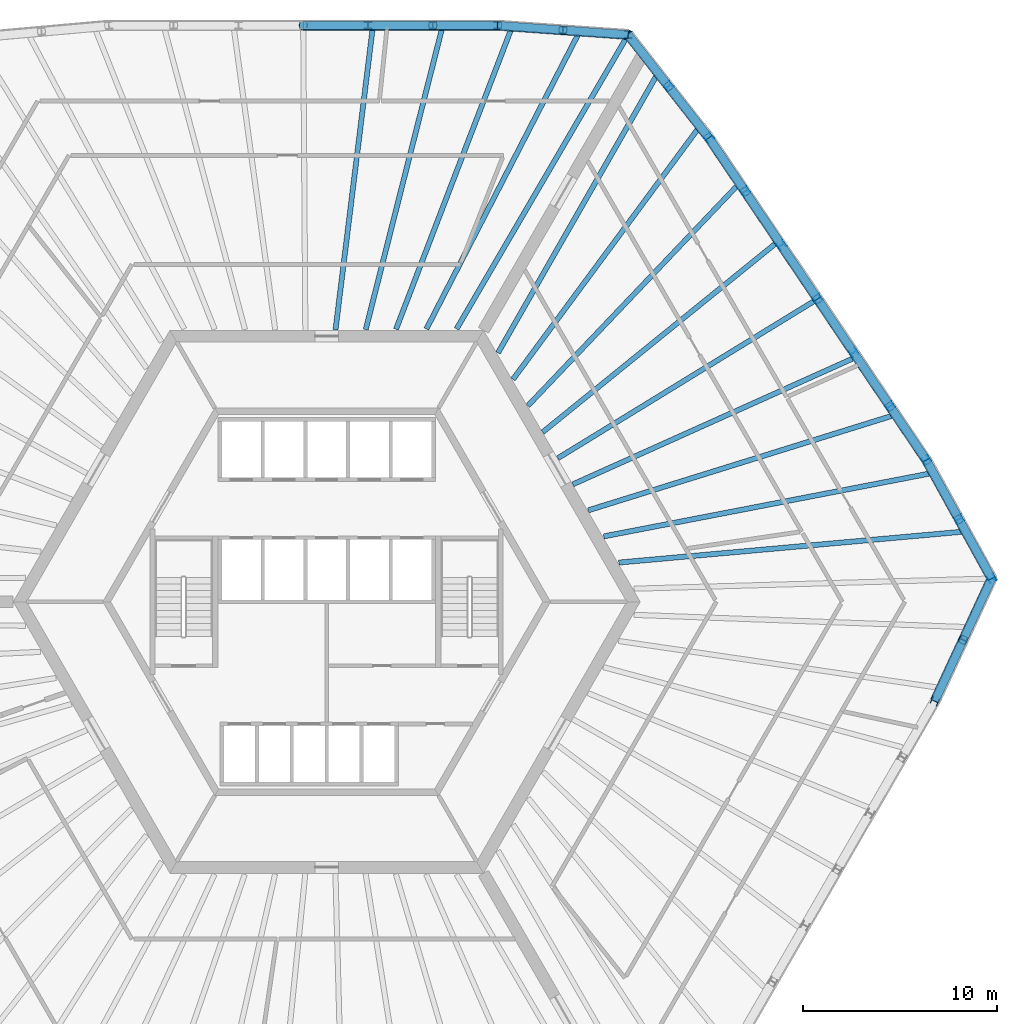
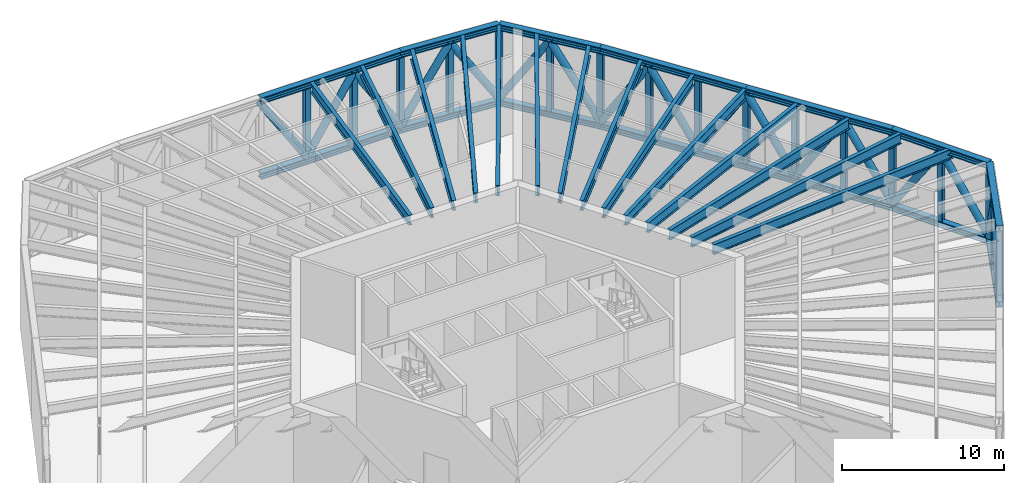
# One storey, part 4 of 11: 48 members, 14 beams.
"""IFC4 building model written with IfcOpenShell, lengths in metres."""

from ifc_helpers import new_model, si_unit, direction, frame, origin, origin_2d, place, context, subcontext, project, spatial, hollow_circle, i_section, extrude, material, material_profile, profile_set, type_object, element, save


model = new_model("IFC4")

# Units and contexts
model_context = context("Model", 3, precision=1e-05, world=origin(), true_north=direction((0.0, 1.0)))
body_context = subcontext(model_context, "Body", "Model", "MODEL_VIEW")
ifc_project = project(units=[si_unit("LENGTHUNIT", "METRE"), si_unit("AREAUNIT", "SQUARE_METRE"), si_unit("VOLUMEUNIT", "CUBIC_METRE"), si_unit("PLANEANGLEUNIT", "RADIAN"), si_unit("MASSUNIT", "GRAM", prefix="KILO")], contexts=[model_context])

# Site, building, storey
site_placement = place(None, origin())
site = spatial("IfcSite", under=ifc_project, at=site_placement, CompositionType="ELEMENT")
building_placement = place(site_placement, origin())
building = spatial("IfcBuilding", under=site, at=building_placement, Name="Tarnside Tower", CompositionType="ELEMENT")
storey_placement = place(building_placement, frame((0.0, 0.0, 31.5)))
storey = spatial("IfcBuildingStorey", under=building, at=storey_placement, Name="L05", CompositionType="ELEMENT", Elevation=31.5)

# Beams
ifc_material_1 = material(Name="Steel S355", Category="steel")
ifc_material_profile_1 = material_profile(ifc_material_1, i_section(OverallWidth=0.26513671875, OverallDepth=0.75390625, WebThickness=0.0126953125, FlangeThickness=0.017578125, FilletRadius=0.0166015625, at=origin_2d()), Name="UB 762x267x147")
ifc_profile_set_1 = profile_set([ifc_material_profile_1], Name="Steel S355")
beam_type_1 = type_object("IfcBeamType", Name="Floor beam UB 762x267x147", PredefinedType="BEAM", material=ifc_profile_set_1)
beam_1_placement = place(storey_placement, frame((2.3603515625, 29.4931640625, 5.472900390625), z_axis=(-0.122332716121, -0.992489146826, 0.0), x_axis=(0.992489146826, -0.122332716121, 0.0)))
element("IfcBeam", 1, at=beam_1_placement, inside=storey, type_object=beam_type_1, Name="Floor beam F1.04", PredefinedType="BEAM", context=body_context, shape_type="SweptSolid", body=[
    extrude(i_section(OverallWidth=0.26513671875, OverallDepth=0.75390625, WebThickness=0.0126953125, FlangeThickness=0.017578125, FilletRadius=0.0166015625, at=origin_2d()), origin(), (0.0, 0.0, 1.0), 15.590576171875),
])
beam_2_placement = place(storey_placement, frame((27.1005859375, 12.52880859375, 5.472900390625), z_axis=(-0.912146085048, -0.409865245577, 0.0), x_axis=(0.409865245577, -0.912146085048, 0.0)))
element("IfcBeam", 2, at=beam_2_placement, inside=storey, type_object=beam_type_1, Name="Floor beam F6.04", PredefinedType="BEAM", context=body_context, shape_type="SweptSolid", body=[
    extrude(i_section(OverallWidth=0.26513671875, OverallDepth=0.75390625, WebThickness=0.0126953125, FlangeThickness=0.017578125, FilletRadius=0.0166015625, at=origin_2d()), origin(), (0.0, 0.0, 1.0), 15.795166015625),
])
beam_3_placement = place(storey_placement, frame((25.122314453125, 15.49658203125, 5.472900390625), z_axis=(-0.852557531246, -0.522633385764, 0.0), x_axis=(0.522633385764, -0.852557531246, 0.0)))
element("IfcBeam", 3, at=beam_3_placement, inside=storey, type_object=beam_type_1, Name="Floor beam F6.05", PredefinedType="BEAM", context=body_context, shape_type="SweptSolid", body=[
    extrude(i_section(OverallWidth=0.26513671875, OverallDepth=0.75390625, WebThickness=0.0126953125, FlangeThickness=0.017578125, FilletRadius=0.0166015625, at=origin_2d()), origin(), (0.0, 0.0, 1.0), 15.490234375),
])
beam_4_placement = place(storey_placement, frame((23.12646484375, 18.4560546875, 5.472900390625), z_axis=(-0.777084158109, -0.629396704167, 0.0), x_axis=(0.629396704167, -0.777084158109, 0.0)))
element("IfcBeam", 4, at=beam_4_placement, inside=storey, type_object=beam_type_1, Name="Floor beam F6.06", PredefinedType="BEAM", context=body_context, shape_type="SweptSolid", body=[
    extrude(i_section(OverallWidth=0.26513671875, OverallDepth=0.75390625, WebThickness=0.0126953125, FlangeThickness=0.017578125, FilletRadius=0.0166015625, at=origin_2d()), origin(), (0.0, 0.0, 1.0), 15.426513671875),
])
beam_5_placement = place(storey_placement, frame((21.116943359375, 21.400634765625, 5.472900390625), z_axis=(-0.689177463232, -0.724592591857, 0.0), x_axis=(0.724592591857, -0.689177463232, 0.0)))
element("IfcBeam", 5, at=beam_5_placement, inside=storey, type_object=beam_type_1, Name="Floor beam F6.07", PredefinedType="BEAM", context=body_context, shape_type="SweptSolid", body=[
    extrude(i_section(OverallWidth=0.26513671875, OverallDepth=0.75390625, WebThickness=0.0126953125, FlangeThickness=0.017578125, FilletRadius=0.0166015625, at=origin_2d()), origin(), (0.0, 0.0, 1.0), 15.586669921875),
])
ifc_material_profile_2 = material_profile(ifc_material_1, i_section(OverallWidth=0.2666015625, OverallDepth=0.76220703125, WebThickness=0.014404296875, FlangeThickness=0.021484375, FilletRadius=0.0166015625, at=origin_2d()), Name="UB 762x267x173")
ifc_profile_set_2 = profile_set([ifc_material_profile_2], Name="Steel S355")
beam_type_2 = type_object("IfcBeamType", Name="Floor beam UB 762x267x173", PredefinedType="BEAM", material=ifc_profile_set_2)
beam_6_placement = place(storey_placement, frame((13.060791015625, 29.44189453125, 5.468994140625), z_axis=(-0.457974172673, -0.888965498298, 0.0), x_axis=(0.888965498298, -0.457974172673, 0.0)))
element("IfcBeam", 6, at=beam_6_placement, inside=storey, type_object=beam_type_2, Name="Floor beam F1.01", PredefinedType="BEAM", context=body_context, shape_type="SweptSolid", body=[
    extrude(i_section(OverallWidth=0.2666015625, OverallDepth=0.76220703125, WebThickness=0.014404296875, FlangeThickness=0.021484375, FilletRadius=0.0166015625, at=origin_2d()), origin(), (0.0, 0.0, 1.0), 17.290771484375),
])
beam_7_placement = place(storey_placement, frame((9.486083984375, 29.45703125, 5.468994140625), z_axis=(-0.358299649539, -0.933606641547, 0.0), x_axis=(0.933606641547, -0.358299649539, 0.0)))
element("IfcBeam", 7, at=beam_7_placement, inside=storey, type_object=beam_type_2, Name="Floor beam F1.02", PredefinedType="BEAM", context=body_context, shape_type="SweptSolid", body=[
    extrude(i_section(OverallWidth=0.2666015625, OverallDepth=0.76220703125, WebThickness=0.014404296875, FlangeThickness=0.021484375, FilletRadius=0.0166015625, at=origin_2d()), origin(), (0.0, 0.0, 1.0), 16.496337890625),
])
beam_8_placement = place(storey_placement, frame((5.92529296875, 29.47412109375, 5.468994140625), z_axis=(-0.245741394717, -0.969335425393, 0.0), x_axis=(0.969335425393, -0.245741394717, 0.0)))
element("IfcBeam", 8, at=beam_8_placement, inside=storey, type_object=beam_type_2, Name="Floor beam F1.03", PredefinedType="BEAM", context=body_context, shape_type="SweptSolid", body=[
    extrude(i_section(OverallWidth=0.2666015625, OverallDepth=0.76220703125, WebThickness=0.014404296875, FlangeThickness=0.021484375, FilletRadius=0.0166015625, at=origin_2d()), origin(), (0.0, 0.0, 1.0), 15.923583984375),
])
beam_9_placement = place(storey_placement, frame((33.06201171875, 3.63623046875, 5.468994140625), z_axis=(-0.995997946566, -0.089376117818, 0.0), x_axis=(0.089376117818, -0.995997946566, 0.0)))
element("IfcBeam", 9, at=beam_9_placement, inside=storey, type_object=beam_type_2, Name="Floor beam F6.01", PredefinedType="BEAM", context=body_context, shape_type="SweptSolid", body=[
    extrude(i_section(OverallWidth=0.2666015625, OverallDepth=0.76220703125, WebThickness=0.014404296875, FlangeThickness=0.021484375, FilletRadius=0.0166015625, at=origin_2d()), origin(), (0.0, 0.0, 1.0), 18.072265625),
])
beam_10_placement = place(storey_placement, frame((31.074462890625, 6.609375, 5.468994140625), z_axis=(-0.981897210813, -0.189414538508, 0.0), x_axis=(0.189414538508, -0.981897210813, 0.0)))
element("IfcBeam", 10, at=beam_10_placement, inside=storey, type_object=beam_type_2, Name="Floor beam F6.02", PredefinedType="BEAM", context=body_context, shape_type="SweptSolid", body=[
    extrude(i_section(OverallWidth=0.2666015625, OverallDepth=0.76220703125, WebThickness=0.014404296875, FlangeThickness=0.021484375, FilletRadius=0.0166015625, at=origin_2d()), origin(), (0.0, 0.0, 1.0), 17.098876953125),
])
beam_11_placement = place(storey_placement, frame((29.096923828125, 9.5712890625, 5.468994140625), z_axis=(-0.954846796321, -0.297098629341, 0.0), x_axis=(0.297098629341, -0.954846796321, 0.0)))
element("IfcBeam", 11, at=beam_11_placement, inside=storey, type_object=beam_type_2, Name="Floor beam F6.03", PredefinedType="BEAM", context=body_context, shape_type="SweptSolid", body=[
    extrude(i_section(OverallWidth=0.2666015625, OverallDepth=0.76220703125, WebThickness=0.014404296875, FlangeThickness=0.021484375, FilletRadius=0.0166015625, at=origin_2d()), origin(), (0.0, 0.0, 1.0), 16.34619140625),
])
beam_12_placement = place(storey_placement, frame((19.11181640625, 24.34228515625, 5.468994140625), z_axis=(-0.593992444702, -0.804470618256, 0.0), x_axis=(0.804470618256, -0.593992444702, 0.0)))
element("IfcBeam", 12, at=beam_12_placement, inside=storey, type_object=beam_type_2, Name="Floor beam F6.08", PredefinedType="BEAM", context=body_context, shape_type="SweptSolid", body=[
    extrude(i_section(OverallWidth=0.2666015625, OverallDepth=0.76220703125, WebThickness=0.014404296875, FlangeThickness=0.021484375, FilletRadius=0.0166015625, at=origin_2d()), origin(), (0.0, 0.0, 1.0), 16.001220703125),
])
beam_13_placement = place(storey_placement, frame((17.10107421875, 27.296142578125, 5.468994140625), z_axis=(-0.496227328759, -0.868192627354, 0.0), x_axis=(0.868192627354, -0.496227328759, 0.0)))
element("IfcBeam", 13, at=beam_13_placement, inside=storey, type_object=beam_type_2, Name="Floor beam F6.09", PredefinedType="BEAM", context=body_context, shape_type="SweptSolid", body=[
    extrude(i_section(OverallWidth=0.2666015625, OverallDepth=0.76220703125, WebThickness=0.014404296875, FlangeThickness=0.021484375, FilletRadius=0.0166015625, at=origin_2d()), origin(), (0.0, 0.0, 1.0), 16.656982421875),
])
beam_14_placement = place(storey_placement, frame((15.43310546875, 29.044921875, 5.468994140625), z_axis=(-0.503857892259, -0.863786561836, 0.0), x_axis=(0.863786561836, -0.503857892259, 0.0)))
element("IfcBeam", 14, at=beam_14_placement, inside=storey, type_object=beam_type_2, Name="Floor beam C6", PredefinedType="BEAM", context=body_context, shape_type="SweptSolid", body=[
    extrude(i_section(OverallWidth=0.2666015625, OverallDepth=0.76220703125, WebThickness=0.014404296875, FlangeThickness=0.021484375, FilletRadius=0.0166015625, at=origin_2d()), origin(), (0.0, 0.0, 1.0), 17.33740234375),
])

# Members
ifc_material_2 = material(Name="Steel S460", Category="steel")
ifc_material_profile_3 = material_profile(ifc_material_2, i_section(OverallWidth=0.41845703125, OverallDepth=0.45556640625, WebThickness=0.0419921875, FlangeThickness=0.0673828125, FilletRadius=0.01513671875, at=origin_2d()), Name="UC 356x406x551")
ifc_profile_set_3 = profile_set([ifc_material_profile_3], Name="Steel S460")
member_type_1 = type_object("IfcMemberType", Name="Truss chord UC 356x406x551", PredefinedType="CHORD", material=ifc_profile_set_3)
member_1_placement = place(storey_placement, frame((8.8125, 29.72509765625, -0.072265625), z_axis=(-1.0, 0.0, 0.0), x_axis=(0.0, -1.0, 0.0)))
element("IfcMember", 15, at=member_1_placement, inside=storey, type_object=member_type_1, Name="Transfer ring truss bottom chord L05 span M01", PredefinedType="CHORD", context=body_context, shape_type="SweptSolid", body=[
    extrude(i_section(OverallWidth=0.41845703125, OverallDepth=0.45556640625, WebThickness=0.0419921875, FlangeThickness=0.0673828125, FilletRadius=0.01513671875, at=origin_2d()), origin(), (0.0, 0.0, 1.0), 10.023681640625),
])
member_2_placement = place(storey_placement, frame((31.360107421875, -5.1328125, -0.072265625), z_axis=(0.420998247601, 0.907061450794, 0.0), x_axis=(-0.907061450794, 0.420998247601, 0.0)))
element("IfcMember", 16, at=member_2_placement, inside=storey, type_object=member_type_1, Name="Transfer ring truss bottom chord L05 span M19", PredefinedType="CHORD", context=body_context, shape_type="SweptSolid", body=[
    extrude(i_section(OverallWidth=0.41845703125, OverallDepth=0.45556640625, WebThickness=0.0419921875, FlangeThickness=0.0673828125, FilletRadius=0.01513671875, at=origin_2d()), origin(), (0.0, 0.0, 1.0), 6.979248046875),
])
member_3_placement = place(storey_placement, frame((34.29833984375, 1.19775390625, -0.072265625), z_axis=(-0.483250257056, 0.875482260846, 0.0), x_axis=(-0.875482260846, -0.483250257056, 0.0)))
element("IfcMember", 17, at=member_3_placement, inside=storey, type_object=member_type_1, Name="Transfer ring truss bottom chord L05 span M20", PredefinedType="CHORD", context=body_context, shape_type="SweptSolid", body=[
    extrude(i_section(OverallWidth=0.41845703125, OverallDepth=0.45556640625, WebThickness=0.0419921875, FlangeThickness=0.0673828125, FilletRadius=0.01513671875, at=origin_2d()), origin(), (0.0, 0.0, 1.0), 6.9794921875),
])
member_4_placement = place(storey_placement, frame((30.925537109375, 7.30810546875, -0.072265625), z_axis=(-0.559205519208, 0.829029062993, 0.0), x_axis=(-0.829029062993, -0.559205519208, 0.0)))
element("IfcMember", 18, at=member_4_placement, inside=storey, type_object=member_type_1, Name="Transfer ring truss bottom chord L05 span M21", PredefinedType="CHORD", context=body_context, shape_type="SweptSolid", body=[
    extrude(i_section(OverallWidth=0.41845703125, OverallDepth=0.45556640625, WebThickness=0.0419921875, FlangeThickness=0.0673828125, FilletRadius=0.01513671875, at=origin_2d()), origin(), (0.0, 0.0, 1.0), 10.0234375),
])
member_5_placement = place(storey_placement, frame((25.3203125, 15.617919921875, -0.072265625), z_axis=(-0.559194227674, 0.829036679367, 0.0), x_axis=(-0.829036679367, -0.559194227674, 0.0)))
element("IfcMember", 19, at=member_5_placement, inside=storey, type_object=member_type_1, Name="Transfer ring truss bottom chord L05 span M22", PredefinedType="CHORD", context=body_context, shape_type="SweptSolid", body=[
    extrude(i_section(OverallWidth=0.41845703125, OverallDepth=0.45556640625, WebThickness=0.0419921875, FlangeThickness=0.0673828125, FilletRadius=0.01513671875, at=origin_2d()), origin(), (0.0, 0.0, 1.0), 10.023681640625),
])
member_6_placement = place(storey_placement, frame((19.715087890625, 23.927978515625, -0.072265625), z_axis=(-0.616639574732, 0.787245600098, 0.0), x_axis=(-0.787245600098, -0.616639574732, 0.0)))
element("IfcMember", 20, at=member_6_placement, inside=storey, type_object=member_type_1, Name="Transfer ring truss bottom chord L05 span M23", PredefinedType="CHORD", context=body_context, shape_type="SweptSolid", body=[
    extrude(i_section(OverallWidth=0.41845703125, OverallDepth=0.45556640625, WebThickness=0.0419921875, FlangeThickness=0.0673828125, FilletRadius=0.01513671875, at=origin_2d()), origin(), (0.0, 0.0, 1.0), 6.75439453125),
])
member_7_placement = place(storey_placement, frame((15.550048828125, 29.245361328125, -0.072265625), z_axis=(-0.997474637007, 0.071023577263, 0.0), x_axis=(-0.071023577263, -0.997474637007, 0.0)))
element("IfcMember", 21, at=member_7_placement, inside=storey, type_object=member_type_1, Name="Transfer ring truss bottom chord L05 span M24", PredefinedType="CHORD", context=body_context, shape_type="SweptSolid", body=[
    extrude(i_section(OverallWidth=0.41845703125, OverallDepth=0.45556640625, WebThickness=0.0419921875, FlangeThickness=0.0673828125, FilletRadius=0.01513671875, at=origin_2d()), origin(), (0.0, 0.0, 1.0), 6.754638671875),
])
ifc_material_profile_4 = material_profile(ifc_material_2, i_section(OverallWidth=0.424072265625, OverallDepth=0.474609375, WebThickness=0.047607421875, FlangeThickness=0.076904296875, FilletRadius=0.01513671875, at=origin_2d()), Name="UC 356x406x634")
ifc_profile_set_4 = profile_set([ifc_material_profile_4], Name="Steel S460")
member_type_2 = type_object("IfcMemberType", Name="Truss chord UC 356x406x634", PredefinedType="CHORD", material=ifc_profile_set_4)
member_8_placement = place(storey_placement, frame((8.8125, 29.72509765625, 5.61279296875), z_axis=(-1.0, 0.0, 0.0), x_axis=(0.0, -1.0, 0.0)))
element("IfcMember", 22, at=member_8_placement, inside=storey, type_object=member_type_2, Name="Transfer ring truss top chord L05 span M01", PredefinedType="CHORD", context=body_context, shape_type="SweptSolid", body=[
    extrude(i_section(OverallWidth=0.424072265625, OverallDepth=0.474609375, WebThickness=0.047607421875, FlangeThickness=0.076904296875, FilletRadius=0.01513671875, at=origin_2d()), origin(), (0.0, 0.0, 1.0), 10.023681640625),
])
member_9_placement = place(storey_placement, frame((31.360107421875, -5.1328125, 5.61279296875), z_axis=(0.420998247601, 0.907061450794, 0.0), x_axis=(-0.907061450794, 0.420998247601, 0.0)))
element("IfcMember", 23, at=member_9_placement, inside=storey, type_object=member_type_2, Name="Transfer ring truss top chord L05 span M19", PredefinedType="CHORD", context=body_context, shape_type="SweptSolid", body=[
    extrude(i_section(OverallWidth=0.424072265625, OverallDepth=0.474609375, WebThickness=0.047607421875, FlangeThickness=0.076904296875, FilletRadius=0.01513671875, at=origin_2d()), origin(), (0.0, 0.0, 1.0), 6.979248046875),
])
member_10_placement = place(storey_placement, frame((34.29833984375, 1.19775390625, 5.61279296875), z_axis=(-0.483250257056, 0.875482260846, 0.0), x_axis=(-0.875482260846, -0.483250257056, 0.0)))
element("IfcMember", 24, at=member_10_placement, inside=storey, type_object=member_type_2, Name="Transfer ring truss top chord L05 span M20", PredefinedType="CHORD", context=body_context, shape_type="SweptSolid", body=[
    extrude(i_section(OverallWidth=0.424072265625, OverallDepth=0.474609375, WebThickness=0.047607421875, FlangeThickness=0.076904296875, FilletRadius=0.01513671875, at=origin_2d()), origin(), (0.0, 0.0, 1.0), 6.9794921875),
])
member_11_placement = place(storey_placement, frame((30.925537109375, 7.30810546875, 5.61279296875), z_axis=(-0.559205519208, 0.829029062993, 0.0), x_axis=(-0.829029062993, -0.559205519208, 0.0)))
element("IfcMember", 25, at=member_11_placement, inside=storey, type_object=member_type_2, Name="Transfer ring truss top chord L05 span M21", PredefinedType="CHORD", context=body_context, shape_type="SweptSolid", body=[
    extrude(i_section(OverallWidth=0.424072265625, OverallDepth=0.474609375, WebThickness=0.047607421875, FlangeThickness=0.076904296875, FilletRadius=0.01513671875, at=origin_2d()), origin(), (0.0, 0.0, 1.0), 10.0234375),
])
member_12_placement = place(storey_placement, frame((25.3203125, 15.617919921875, 5.61279296875), z_axis=(-0.559194227674, 0.829036679367, 0.0), x_axis=(-0.829036679367, -0.559194227674, 0.0)))
element("IfcMember", 26, at=member_12_placement, inside=storey, type_object=member_type_2, Name="Transfer ring truss top chord L05 span M22", PredefinedType="CHORD", context=body_context, shape_type="SweptSolid", body=[
    extrude(i_section(OverallWidth=0.424072265625, OverallDepth=0.474609375, WebThickness=0.047607421875, FlangeThickness=0.076904296875, FilletRadius=0.01513671875, at=origin_2d()), origin(), (0.0, 0.0, 1.0), 10.023681640625),
])
member_13_placement = place(storey_placement, frame((19.715087890625, 23.927978515625, 5.61279296875), z_axis=(-0.616639574732, 0.787245600098, 0.0), x_axis=(-0.787245600098, -0.616639574732, 0.0)))
element("IfcMember", 27, at=member_13_placement, inside=storey, type_object=member_type_2, Name="Transfer ring truss top chord L05 span M23", PredefinedType="CHORD", context=body_context, shape_type="SweptSolid", body=[
    extrude(i_section(OverallWidth=0.424072265625, OverallDepth=0.474609375, WebThickness=0.047607421875, FlangeThickness=0.076904296875, FilletRadius=0.01513671875, at=origin_2d()), origin(), (0.0, 0.0, 1.0), 6.75439453125),
])
member_14_placement = place(storey_placement, frame((15.550048828125, 29.245361328125, 5.61279296875), z_axis=(-0.997474637007, 0.071023577263, 0.0), x_axis=(-0.071023577263, -0.997474637007, 0.0)))
element("IfcMember", 28, at=member_14_placement, inside=storey, type_object=member_type_2, Name="Transfer ring truss top chord L05 span M24", PredefinedType="CHORD", context=body_context, shape_type="SweptSolid", body=[
    extrude(i_section(OverallWidth=0.424072265625, OverallDepth=0.474609375, WebThickness=0.047607421875, FlangeThickness=0.076904296875, FilletRadius=0.01513671875, at=origin_2d()), origin(), (0.0, 0.0, 1.0), 6.754638671875),
])
ifc_material_profile_5 = material_profile(ifc_material_1, hollow_circle(Radius=0.25390625, WallThickness=0.01611328125, at=origin_2d()), Name="CHS 508x16")
ifc_profile_set_5 = profile_set([ifc_material_profile_5], Name="Steel S355")
member_type_3 = type_object("IfcMemberType", Name="Truss diagonal CHS 508x16", PredefinedType="BRACE", material=ifc_profile_set_5)
for number, where, z_axis, x_axis, name in (
    (29, (8.8125, 29.72509765625, 0.155517578125), (-0.53908611322, 0.0, 0.842250653033), (0.0, -1.0, 0.0), "Transfer ring truss diagonal L05 1"),
    (30, (5.471435546875, 29.72509765625, 5.37548828125), (-0.539114056811, 0.0, -0.842232766965), (0.0, -1.0, 0.0), "Transfer ring truss diagonal L05 2"),
    (31, (2.130126953125, 29.72509765625, 0.155517578125), (-0.539114056811, 0.0, 0.842232766965), (0.0, -1.0, 0.0), "Transfer ring truss diagonal L05 3"),
):
    element("IfcMember", number, at=place(storey_placement, frame(where, z_axis=z_axis, x_axis=x_axis)), inside=storey, type_object=member_type_3, Name=name, PredefinedType="BRACE", context=body_context, shape_type="SweptSolid", body=[
        extrude(hollow_circle(Radius=0.25390625, WallThickness=0.01611328125, at=origin_2d()), origin(), (0.0, 0.0, 1.0), 6.19775390625),
    ])
for number, where, z_axis, x_axis, name in (
    (32, (31.360107421875, -5.1328125, 0.155517578125), (0.233955848253, 0.504111280139, 0.831346184393), (-0.907074808834, 0.420969465851, 0.0), "Transfer ring truss diagonal L05 47"),
    (33, (32.8291015625, -1.967529296875, 5.37548828125), (0.23399260198, 0.50410669403, -0.831338621293), (-0.907048092234, 0.421027028081, 0.0), "Transfer ring truss diagonal L05 48"),
):
    element("IfcMember", number, at=place(storey_placement, frame(where, z_axis=z_axis, x_axis=x_axis)), inside=storey, type_object=member_type_3, Name=name, PredefinedType="BRACE", context=body_context, shape_type="SweptSolid", body=[
        extrude(hollow_circle(Radius=0.25390625, WallThickness=0.01611328125, at=origin_2d()), origin(), (0.0, 0.0, 1.0), 6.279052734375),
    ])
member_15_placement = place(storey_placement, frame((34.29833984375, 1.19775390625, 0.155517578125), z_axis=(-0.268564030929, 0.486541438978, 0.831354791559), x_axis=(-0.875480722135, -0.483253044657, 0.0)))
element("IfcMember", 34, at=member_15_placement, inside=storey, type_object=member_type_3, Name="Transfer ring truss diagonal L05 49", PredefinedType="BRACE", context=body_context, shape_type="SweptSolid", body=[
    extrude(hollow_circle(Radius=0.25390625, WallThickness=0.01611328125, at=origin_2d()), origin(), (0.0, 0.0, 1.0), 6.27880859375),
])
member_16_placement = place(storey_placement, frame((32.612060546875, 4.252685546875, 5.37548828125), z_axis=(-0.268589945903, 0.486595711201, -0.831314654509), x_axis=(-0.875483799307, -0.483247469885, 0.0)))
element("IfcMember", 35, at=member_16_placement, inside=storey, type_object=member_type_3, Name="Transfer ring truss diagonal L05 50", PredefinedType="BRACE", context=body_context, shape_type="SweptSolid", body=[
    extrude(hollow_circle(Radius=0.25390625, WallThickness=0.01611328125, at=origin_2d()), origin(), (0.0, 0.0, 1.0), 6.279296875),
])
for number, where, z_axis, x_axis, name in (
    (36, (30.925537109375, 7.30810546875, 0.155517578125), (-0.301471082023, 0.446908326872, 0.842251823433), (-0.829013828863, -0.559228103331, 0.0), "Transfer ring truss diagonal L05 51"),
    (37, (29.05712890625, 10.077880859375, 5.37548828125), (-0.301465774575, 0.446939850821, -0.842236995452), (-0.829036679367, -0.559194227674, 0.0), "Transfer ring truss diagonal L05 52"),
    (38, (27.188720703125, 12.847900390625, 0.155517578125), (-0.301465774575, 0.446939850821, 0.842236995452), (-0.829036679367, -0.559194227674, 0.0), "Transfer ring truss diagonal L05 53"),
    (39, (25.3203125, 15.617919921875, 5.37548828125), (-0.301465774575, 0.446939850821, -0.842236995452), (-0.829036679367, -0.559194227674, 0.0), "Transfer ring truss diagonal L05 54"),
    (40, (23.451904296875, 18.387939453125, 0.155517578125), (-0.301465774575, 0.446939850821, 0.842236995452), (-0.829036679367, -0.559194227674, 0.0), "Transfer ring truss diagonal L05 55"),
    (41, (21.58349609375, 21.157958984375, 5.37548828125), (-0.301465774575, 0.446939850821, -0.842236995452), (-0.829036679367, -0.559194227674, 0.0), "Transfer ring truss diagonal L05 56"),
):
    element("IfcMember", number, at=place(storey_placement, frame(where, z_axis=z_axis, x_axis=x_axis)), inside=storey, type_object=member_type_3, Name=name, PredefinedType="BRACE", context=body_context, shape_type="SweptSolid", body=[
        extrude(hollow_circle(Radius=0.25390625, WallThickness=0.01611328125, at=origin_2d()), origin(), (0.0, 0.0, 1.0), 6.19775390625),
    ])
for number, where, z_axis, x_axis, name in (
    (42, (19.715087890625, 23.927978515625, 0.155517578125), (-0.334960801481, 0.427634598843, 0.839601042962), (-0.787245600098, -0.616639574732, 0.0), "Transfer ring truss diagonal L05 57"),
    (43, (17.632568359375, 26.586669921875, 5.37548828125), (-0.334960801481, 0.427634598843, -0.839601042962), (-0.787245600098, -0.616639574732, 0.0), "Transfer ring truss diagonal L05 58"),
    (44, (15.550048828125, 29.245361328125, 0.155517578125), (-0.541829183653, 0.038561839277, 0.839603549477), (-0.070990174559, -0.997477014831, 0.0), "Transfer ring truss diagonal L05 59"),
    (45, (12.181396484375, 29.485107421875, 5.37548828125), (-0.54185610209, 0.038600228158, -0.839584413275), (-0.071056977307, -0.997472258249, 0.0), "Transfer ring truss diagonal L05 60"),
):
    element("IfcMember", number, at=place(storey_placement, frame(where, z_axis=z_axis, x_axis=x_axis)), inside=storey, type_object=member_type_3, Name=name, PredefinedType="BRACE", context=body_context, shape_type="SweptSolid", body=[
        extrude(hollow_circle(Radius=0.25390625, WallThickness=0.01611328125, at=origin_2d()), origin(), (0.0, 0.0, 1.0), 6.21728515625),
    ])
ifc_material_profile_6 = material_profile(ifc_material_1, i_section(OverallWidth=0.374755859375, OverallDepth=0.37451171875, WebThickness=0.0166015625, FlangeThickness=0.027099609375, FilletRadius=0.01513671875, at=origin_2d()), Name="UC 356x368x202")
ifc_profile_set_6 = profile_set([ifc_material_profile_6], Name="Steel S355")
member_type_4 = type_object("IfcMemberType", Name="Truss post UC 356x368x202", PredefinedType="POST", material=ifc_profile_set_6)
for number, where, z_axis, x_axis, name in (
    (46, (8.8125, 29.72509765625, 0.155517578125), (0.0, 0.0, 1.0), (-1.0, 0.0, 0.0), "Transfer ring truss post L05 1"),
    (47, (5.471435546875, 29.72509765625, 0.155517578125), (0.0, 0.0, 1.0), (-1.0, 0.0, 0.0), "Transfer ring truss post L05 2"),
    (48, (2.130126953125, 29.72509765625, 0.155517578125), (0.0, 0.0, 1.0), (-1.0, 0.0, 0.0), "Transfer ring truss post L05 3"),
    (49, (31.360107421875, -5.1328125, 0.155517578125), (0.0, 0.0, 1.0), (0.421011883527, 0.90705512177, 0.0), "Transfer ring truss post L05 47"),
    (50, (32.8291015625, -1.967529296875, 0.155517578125), (0.0, 0.0, 1.0), (0.421011883527, 0.90705512177, 0.0), "Transfer ring truss post L05 48"),
    (51, (34.29833984375, 1.19775390625, 0.155517578125), (0.0, 0.0, 1.0), (-0.483259286524, 0.875477276683, 0.0), "Transfer ring truss post L05 49"),
    (52, (32.612060546875, 4.252685546875, 0.155517578125), (0.0, 0.0, 1.0), (-0.483259286524, 0.875477276683, 0.0), "Transfer ring truss post L05 50"),
    (53, (30.925537109375, 7.30810546875, 0.155517578125), (0.0, 0.0, 1.0), (-0.559192903471, 0.829037572555, 0.0), "Transfer ring truss post L05 51"),
    (54, (29.05712890625, 10.077880859375, 0.155517578125), (0.0, 0.0, 1.0), (-0.559192903471, 0.829037572555, 0.0), "Transfer ring truss post L05 52"),
    (55, (27.188720703125, 12.847900390625, 0.155517578125), (0.0, 0.0, 1.0), (-0.559192903471, 0.829037572555, 0.0), "Transfer ring truss post L05 53"),
    (56, (25.3203125, 15.617919921875, 0.155517578125), (0.0, 0.0, 1.0), (-0.559192903471, 0.829037572555, 0.0), "Transfer ring truss post L05 54"),
    (57, (23.451904296875, 18.387939453125, 0.155517578125), (0.0, 0.0, 1.0), (-0.559192903471, 0.829037572555, 0.0), "Transfer ring truss post L05 55"),
    (58, (21.58349609375, 21.157958984375, 0.155517578125), (0.0, 0.0, 1.0), (-0.559192903471, 0.829037572555, 0.0), "Transfer ring truss post L05 56"),
    (59, (19.715087890625, 23.927978515625, 0.155517578125), (0.0, 0.0, 1.0), (-0.616642238868, 0.787243513307, 0.0), "Transfer ring truss post L05 57"),
    (60, (17.632568359375, 26.586669921875, 0.155517578125), (0.0, 0.0, 1.0), (-0.616642238868, 0.787243513307, 0.0), "Transfer ring truss post L05 58"),
    (61, (15.550048828125, 29.245361328125, 0.155517578125), (0.0, 0.0, 1.0), (-0.997476415237, 0.070998598901, 0.0), "Transfer ring truss post L05 59"),
    (62, (12.181396484375, 29.485107421875, 0.155517578125), (0.0, 0.0, 1.0), (-0.997476415237, 0.070998598901, 0.0), "Transfer ring truss post L05 60"),
):
    element("IfcMember", number, at=place(storey_placement, frame(where, z_axis=z_axis, x_axis=x_axis)), inside=storey, type_object=member_type_4, Name=name, PredefinedType="POST", context=body_context, shape_type="SweptSolid", body=[
        extrude(i_section(OverallWidth=0.374755859375, OverallDepth=0.37451171875, WebThickness=0.0166015625, FlangeThickness=0.027099609375, FilletRadius=0.01513671875, at=origin_2d()), origin(), (0.0, 0.0, 1.0), 5.219970703125),
    ])

save(model, "model.ifc")
